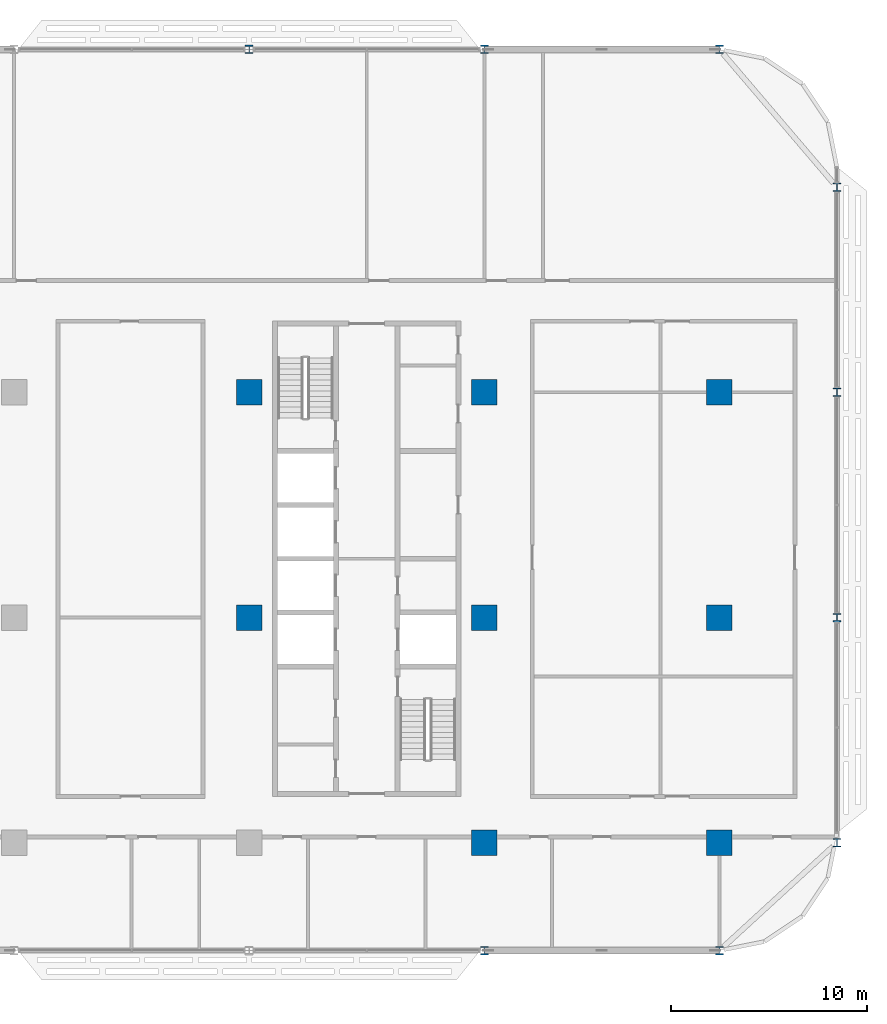
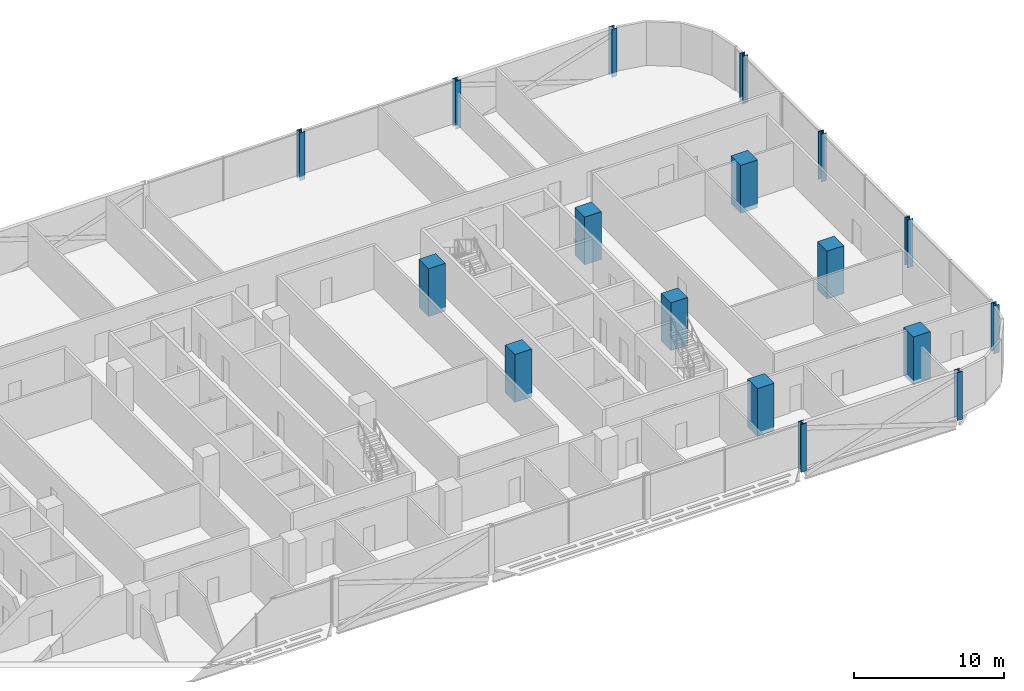
# One storey, part 2 of 29: 17 columns.
"""IFC4 building model written with IfcOpenShell, lengths in metres."""

from ifc_helpers import new_model, si_unit, direction, frame, origin, origin_2d, place, context, subcontext, project, spatial, rectangle, i_section, extrude, material, material_profile, profile_set, type_object, element, save


model = new_model("IFC4")

# Units and contexts
model_context = context("Model", 3, precision=1e-05, world=origin(), true_north=direction((0.0, 1.0)))
body_context = subcontext(model_context, "Body", "Model", "MODEL_VIEW")
ifc_project = project(units=[si_unit("LENGTHUNIT", "METRE"), si_unit("AREAUNIT", "SQUARE_METRE"), si_unit("VOLUMEUNIT", "CUBIC_METRE"), si_unit("PLANEANGLEUNIT", "RADIAN"), si_unit("MASSUNIT", "GRAM", prefix="KILO")], contexts=[model_context])

# Site, building, storey
site_placement = place(None, origin())
site = spatial("IfcSite", under=ifc_project, at=site_placement, CompositionType="ELEMENT")
building_placement = place(site_placement, origin())
building = spatial("IfcBuilding", under=site, at=building_placement, Name="Mahtab Terrace Research Tower", CompositionType="ELEMENT")
storey_placement = place(building_placement, frame((0.0, 0.0, 150.699951171875)))
storey = spatial("IfcBuildingStorey", under=building, at=storey_placement, Name="L35", CompositionType="ELEMENT", Elevation=150.699951171875)

# Columns
ifc_material_1 = material(Name="Concrete C70/85", Category="concrete")
ifc_material_profile_1 = material_profile(ifc_material_1, rectangle(XDim=1.300048828125, YDim=1.300048828125, at=origin_2d()), Name="RC column 1300x1300")
ifc_profile_set_1 = profile_set([ifc_material_profile_1], Name="Concrete C70/85")
column_type_1 = type_object("IfcColumnType", Name="RC column 1300x1300", PredefinedType="COLUMN", material=ifc_profile_set_1)
for number, where, z_axis, x_axis, name in (
    (1, (18.0, 0.0, -0.33984375), (0.0, 0.0, 1.0), (1.0, 0.0, 0.0), "Column RC-6B L35"),
    (2, (18.0, 11.5, -0.33984375), (0.0, 0.0, 1.0), (1.0, 0.0, 0.0), "Column RC-6C L35"),
    (3, (30.0, -11.5, -0.33984375), (0.0, 0.0, 1.0), (1.0, 0.0, 0.0), "Column RC-7A L35"),
    (4, (30.0, 0.0, -0.33984375), (0.0, 0.0, 1.0), (1.0, 0.0, 0.0), "Column RC-7B L35"),
    (5, (30.0, 11.5, -0.33984375), (0.0, 0.0, 1.0), (1.0, 0.0, 0.0), "Column RC-7C L35"),
    (6, (42.0, -11.5, -0.33984375), (0.0, 0.0, 1.0), (1.0, 0.0, 0.0), "Column RC-8A L35"),
    (7, (42.0, 0.0, -0.33984375), (0.0, 0.0, 1.0), (1.0, 0.0, 0.0), "Column RC-8B L35"),
    (8, (42.0, 11.5, -0.33984375), (0.0, 0.0, 1.0), (1.0, 0.0, 0.0), "Column RC-8C L35"),
):
    element("IfcColumn", number, at=place(storey_placement, frame(where, z_axis=z_axis, x_axis=x_axis)), inside=storey, type_object=column_type_1, Name=name, PredefinedType="COLUMN", context=body_context, shape_type="SweptSolid", body=[
        extrude(rectangle(XDim=1.300048828125, YDim=1.300048828125, at=origin_2d()), origin(), (0.0, 0.0, 1.0), 3.889892578125),
    ])
ifc_material_2 = material(Name="Steel ASTM A992 Gr 50", Category="steel")
ifc_material_profile_2 = material_profile(ifc_material_2, i_section(OverallWidth=0.41162109375, OverallDepth=0.434326171875, WebThickness=0.035888671875, FlangeThickness=0.057373046875, at=origin_2d()), Name="W14X311")
ifc_profile_set_2 = profile_set([ifc_material_profile_2], Name="Steel ASTM A992 Gr 50")
column_type_2 = type_object("IfcColumnType", Name="W14x311 column CS14311", PredefinedType="COLUMN", material=ifc_profile_set_2)
for number, where, z_axis, x_axis, name in (
    (9, (42.0, 29.0, -0.33984375), (0.0, 0.0, 1.0), (1.0, 0.0, 0.0), "Column SC-031 L35"),
    (10, (30.0, 29.0, -0.33984375), (0.0, 0.0, 1.0), (1.0, 0.0, 0.0), "Column SC-032 L35"),
    (11, (18.0, 29.0, -0.33984375), (0.0, 0.0, 1.0), (1.0, 0.0, 0.0), "Column SC-033 L35"),
    (12, (30.0, -17.0, -0.33984375), (0.0, 0.0, 1.0), (1.0, 0.0, 0.0), "Column SC-044 L35"),
    (13, (42.0, -17.0, -0.33984375), (0.0, 0.0, 1.0), (1.0, 0.0, 0.0), "Column SC-045 L35"),
    (14, (48.0, -11.5, -0.33984375), (0.0, 0.0, 1.0), (1.0, 0.0, 0.0), "Column SC-020 L35"),
    (15, (48.0, 0.0, -0.33984375), (0.0, 0.0, 1.0), (1.0, 0.0, 0.0), "Column SC-021 L35"),
    (16, (48.0, 11.5, -0.33984375), (0.0, 0.0, 1.0), (1.0, 0.0, 0.0), "Column SC-022 L35"),
    (17, (48.0, 21.9619140625, -0.33984375), (0.0, 0.0, 1.0), (1.0, 0.0, 0.0), "Column SC-050 L35"),
):
    element("IfcColumn", number, at=place(storey_placement, frame(where, z_axis=z_axis, x_axis=x_axis)), inside=storey, type_object=column_type_2, Name=name, PredefinedType="COLUMN", context=body_context, shape_type="SweptSolid", body=[
        extrude(i_section(OverallWidth=0.41162109375, OverallDepth=0.434326171875, WebThickness=0.035888671875, FlangeThickness=0.057373046875, at=origin_2d()), origin(), (0.0, 0.0, 1.0), 3.889892578125),
    ])

save(model, "model.ifc")
